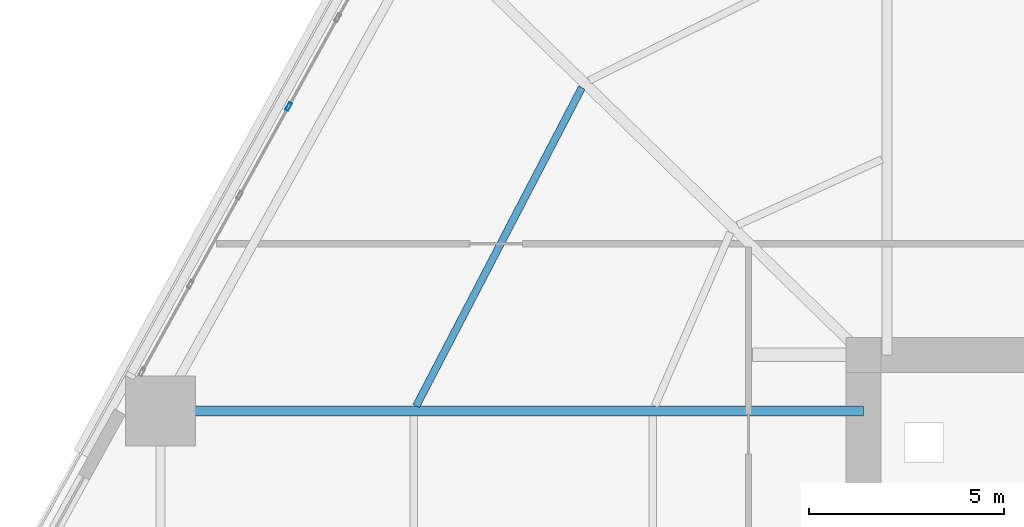
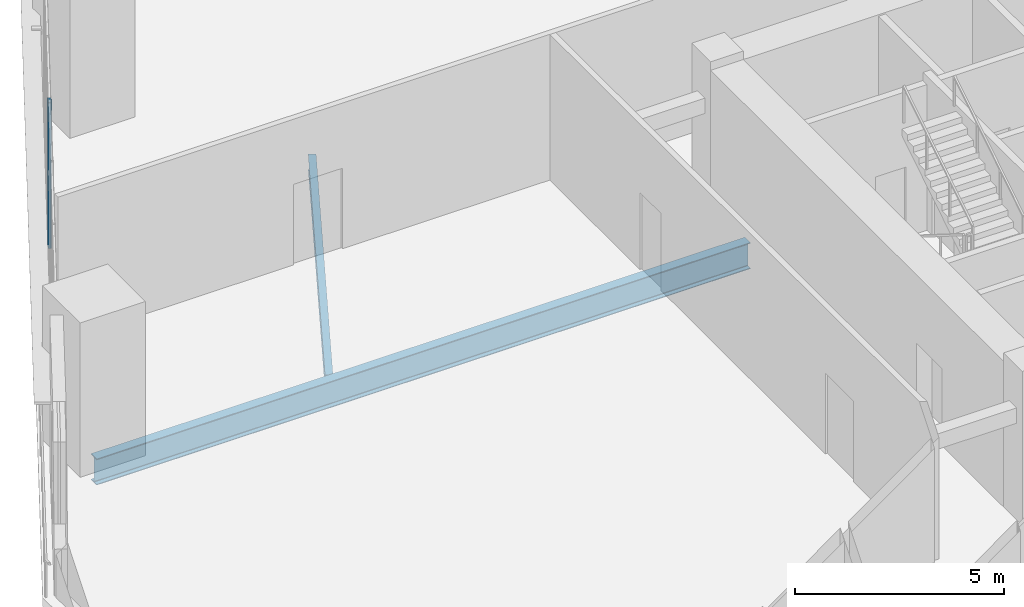
# One storey, part 6 of 21: 2 beams, 1 member, 1 element without a shape of its own.
"""IFC4 building model written with IfcOpenShell, lengths in metres."""

from ifc_helpers import new_model, si_unit, direction, frame, origin, origin_2d, place, context, subcontext, project, spatial, hollow_rectangle, i_section, extrude, material, layer, layer_set, material_profile, profile_set, type_object, element, aggregate, save


model = new_model("IFC4")

# Units and contexts
model_context = context("Model", 3, precision=1e-05, world=origin(), true_north=direction((0.0, 1.0)))
body_context = subcontext(model_context, "Body", "Model", "MODEL_VIEW")
ifc_project = project(units=[si_unit("LENGTHUNIT", "METRE"), si_unit("AREAUNIT", "SQUARE_METRE"), si_unit("VOLUMEUNIT", "CUBIC_METRE"), si_unit("PLANEANGLEUNIT", "RADIAN"), si_unit("MASSUNIT", "GRAM", prefix="KILO")], contexts=[model_context])

# Site, building, storey
site_placement = place(None, origin())
site = spatial("IfcSite", under=ifc_project, at=site_placement, CompositionType="ELEMENT")
building_placement = place(site_placement, origin())
building = spatial("IfcBuilding", under=site, at=building_placement, Name="Cinnabar Lancet Tower", CompositionType="ELEMENT")
storey_placement = place(building_placement, frame((0.0, 0.0, 6.0)))
storey = spatial("IfcBuildingStorey", under=building, at=storey_placement, Name="L01", CompositionType="ELEMENT", Elevation=6.0)

# Curtain wall, member
ifc_material_1 = material(Name="Thermally broken bronze-anodized aluminium and low-E glass", Category="aluminium")
ifc_layer = layer(ifc_material_1, 0.179931640625)
ifc_layer_set = layer_set([ifc_layer], Name="Thermally broken bronze-anodized aluminium and low-E glass")
curtain_wall_type = type_object("IfcCurtainWallType", Name="ENV-CW-SYS-02", PredefinedType="NOTDEFINED", material=ifc_layer_set)
curtain_wall_placement = place(storey_placement, origin())
curtain_wall = element("IfcCurtainWall", 1, at=curtain_wall_placement, inside=storey, type_object=curtain_wall_type, Name="L01 Face 5 Feature Curtain Wall", PredefinedType="NOTDEFINED")
ifc_material_2 = material(Name="Anodized architectural aluminium 6063-T6", Category="aluminium")
ifc_material_profile_1 = material_profile(ifc_material_2, hollow_rectangle(XDim=0.0849609375, YDim=0.219970703125, WallThickness=0.0048828125, InnerFilletRadius=0.00244140625, OuterFilletRadius=0.007568359375, at=origin_2d()), Name="CW-MUL 220x85x5")
ifc_profile_set_1 = profile_set([ifc_material_profile_1], Name="Anodized architectural aluminium 6063-T6")
member_type = type_object("IfcMemberType", Name="ENV-CW-MUL-220", PredefinedType="MULLION", material=ifc_profile_set_1)
member_placement = place(storey_placement, frame((8.196044921875, 39.7236328125, 0.0), z_axis=(0.0, 0.0, 1.0), x_axis=(0.875242391442, -0.48368456273, 0.0)))
member = element("IfcMember", 2, at=member_placement, type_object=member_type, Name="CW-02 mullion 3", PredefinedType="MULLION", context=body_context, shape_type="SweptSolid", body=[
    extrude(hollow_rectangle(XDim=0.0849609375, YDim=0.219970703125, WallThickness=0.0048828125, InnerFilletRadius=0.00244140625, OuterFilletRadius=0.007568359375, at=origin_2d()), origin(), (0.0, 0.0, 1.0), 4.25),
])
aggregate(curtain_wall, [member])

# Beams
ifc_material_3 = material(Name="Structural steel S355", Category="steel")
ifc_material_profile_2 = material_profile(ifc_material_3, i_section(OverallWidth=0.1904296875, OverallDepth=0.45703125, WebThickness=0.009033203125, FlangeThickness=0.014404296875, FilletRadius=0.01025390625, at=origin_2d()), Name="UKB 457x191x74")
ifc_profile_set_2 = profile_set([ifc_material_profile_2], Name="Structural steel S355")
beam_type_1 = type_object("IfcBeamType", Name="STR-BM-JST-457", PredefinedType="JOIST", material=ifc_profile_set_2)
beam_1_placement = place(storey_placement, frame((15.721923828125, 40.2060546875, -0.47900390625), z_axis=(-0.461626641841, -0.887074316809, 0.0), x_axis=(0.887074316809, -0.461626641841, 0.0)))
element("IfcBeam", 3, at=beam_1_placement, inside=storey, type_object=beam_type_1, Name="L01 Secondary Floor Joist 9", PredefinedType="JOIST", context=body_context, shape_type="SweptSolid", body=[
    extrude(i_section(OverallWidth=0.1904296875, OverallDepth=0.45703125, WebThickness=0.009033203125, FlangeThickness=0.014404296875, FilletRadius=0.01025390625, at=origin_2d()), origin(), (0.0, 0.0, 1.0), 9.204345703125),
])
ifc_material_4 = material(Name="Structural steel S355", Category="steel")
ifc_material_profile_3 = material_profile(ifc_material_4, i_section(OverallWidth=0.2666015625, OverallDepth=0.76220703125, WebThickness=0.014404296875, FlangeThickness=0.021484375, FilletRadius=0.0166015625, at=origin_2d()), Name="UKB 762x267x173")
ifc_profile_set_3 = profile_set([ifc_material_profile_3], Name="Structural steel S355")
beam_type_2 = type_object("IfcBeamType", Name="STR-BM-UKB762-173", PredefinedType="BEAM", material=ifc_profile_set_3)
beam_2_placement = place(storey_placement, frame((4.908935546875, 31.907958984375, -0.631103515625), z_axis=(1.0, 0.0, 0.0), x_axis=(0.0, 1.0, 0.0)))
element("IfcBeam", 4, at=beam_2_placement, inside=storey, type_object=beam_type_2, Name="L01 Primary Floor Girder 10", PredefinedType="BEAM", context=body_context, shape_type="SweptSolid", body=[
    extrude(i_section(OverallWidth=0.2666015625, OverallDepth=0.76220703125, WebThickness=0.014404296875, FlangeThickness=0.021484375, FilletRadius=0.0166015625, at=origin_2d()), origin(), (0.0, 0.0, 1.0), 18.041015625),
])

save(model, "model.ifc")
